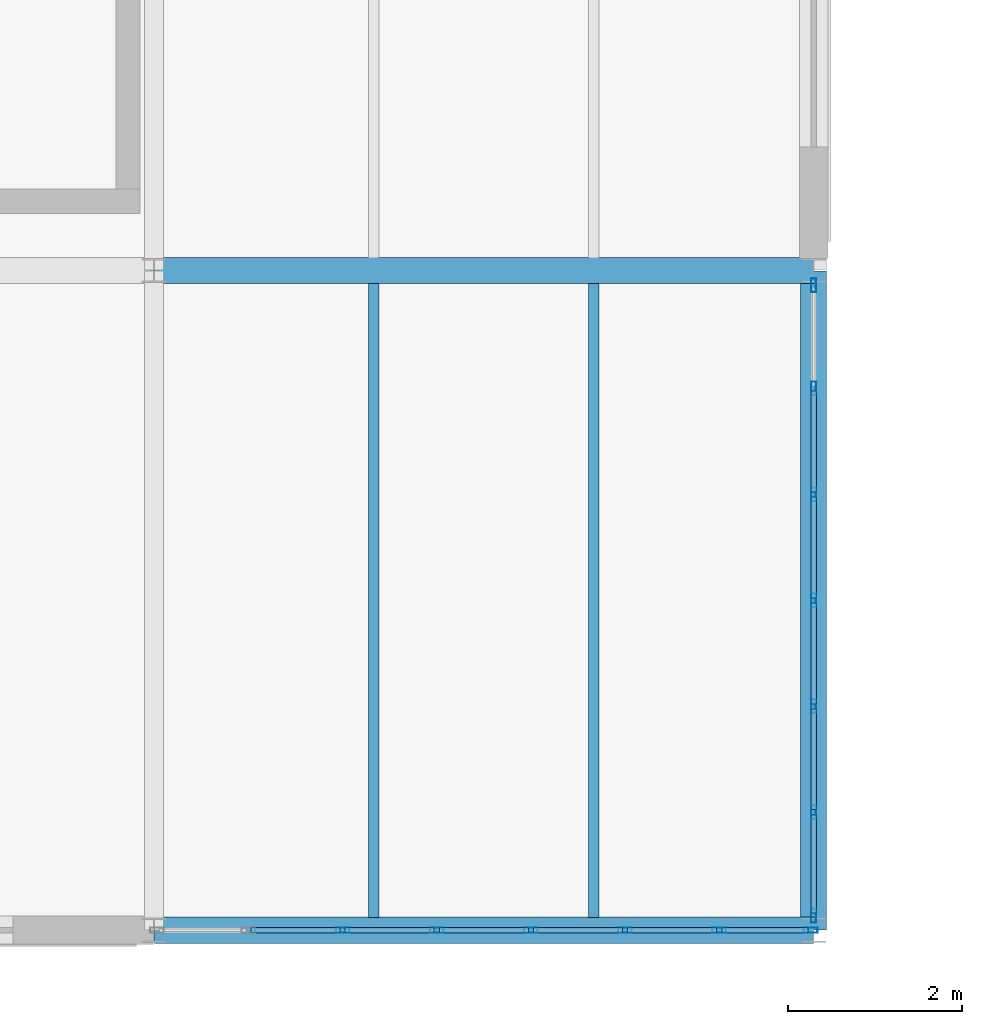
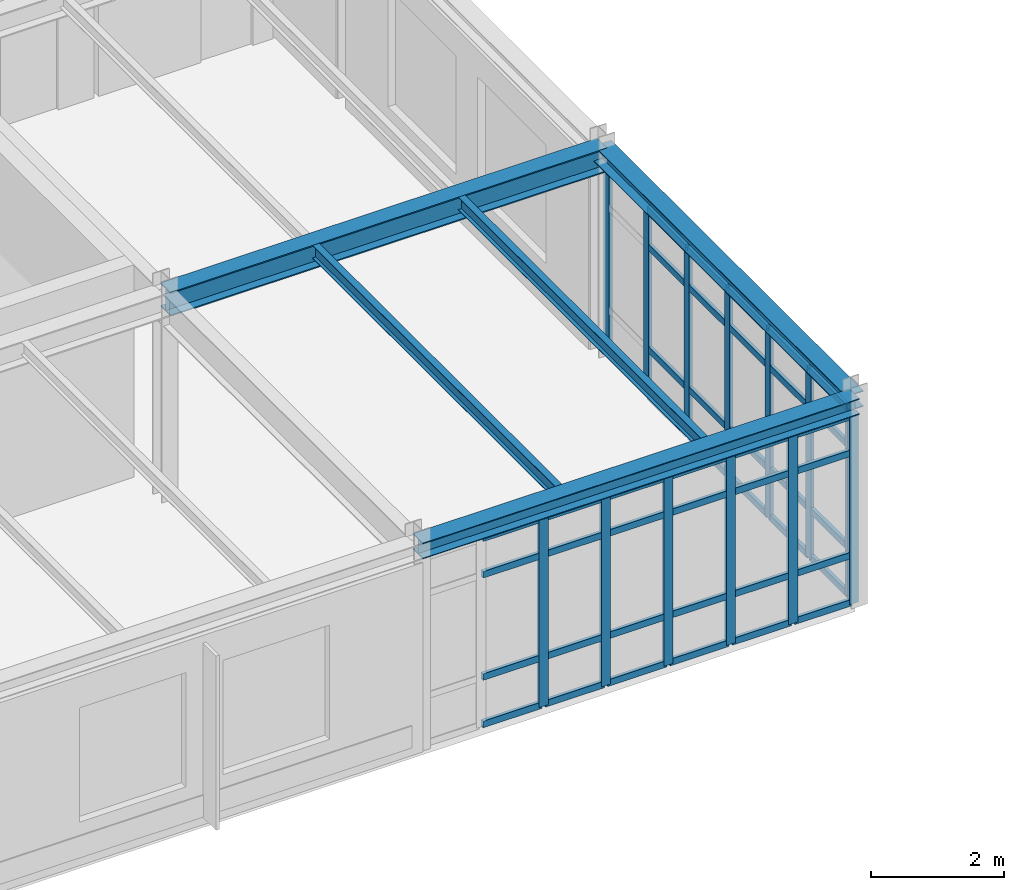
# One storey, part 36 of 165: 57 members, 5 beams, 2 elements without a shape of their own.
"""IFC4 building model written with IfcOpenShell, lengths in metres."""

from ifc_helpers import new_model, si_unit, direction, frame, origin, origin_2d, place, context, subcontext, project, spatial, hollow_rectangle, i_section, extrude, material, layer, layer_set, material_profile, profile_set, type_object, element, aggregate, save


model = new_model("IFC4")

# Units and contexts
model_context = context("Model", 3, precision=1e-05, world=origin(), true_north=direction((0.0, 1.0)))
body_context = subcontext(model_context, "Body", "Model", "MODEL_VIEW")
ifc_project = project(units=[si_unit("LENGTHUNIT", "METRE"), si_unit("AREAUNIT", "SQUARE_METRE"), si_unit("VOLUMEUNIT", "CUBIC_METRE"), si_unit("PLANEANGLEUNIT", "RADIAN"), si_unit("MASSUNIT", "GRAM", prefix="KILO")], contexts=[model_context])

# Site, building, storey
site_placement = place(None, origin())
site = spatial("IfcSite", under=ifc_project, at=site_placement, CompositionType="ELEMENT")
building_placement = place(site_placement, origin())
building = spatial("IfcBuilding", under=site, at=building_placement, Name="Montecoro Central Library", CompositionType="ELEMENT")
storey_placement = place(building_placement, frame((0.0, 0.0, 5.10009765625)))
storey = spatial("IfcBuildingStorey", under=building, at=storey_placement, Name="L01", CompositionType="ELEMENT", Elevation=5.10009765625)

# Beams
ifc_material_1 = material(Name="Steel S355J2", Category="steel")
ifc_material_profile_1 = material_profile(ifc_material_1, i_section(OverallWidth=0.300048828125, OverallDepth=0.43994140625, WebThickness=0.011474609375, FlangeThickness=0.02099609375, at=origin_2d()), Name="HEA 450")
ifc_profile_set_1 = profile_set([ifc_material_profile_1], Name="Steel S355J2")
beam_type_1 = type_object("IfcBeamType", Name="BM-G-HEA450", PredefinedType="USERDEFINED", material=ifc_profile_set_1)
beam_placement = place(storey_placement, frame((35.405029296875, 12.60009765625, 3.60498046875), z_axis=(1.0, 0.0, 0.0), x_axis=(0.0, 1.0, 0.0)))
element("IfcBeam", 1, at=beam_placement, inside=storey, type_object=beam_type_1, Name="V3-L01-BX-56-B", ObjectType="GIRDER", PredefinedType="USERDEFINED", context=body_context, shape_type="SweptSolid", body=[
    extrude(i_section(OverallWidth=0.300048828125, OverallDepth=0.43994140625, WebThickness=0.011474609375, FlangeThickness=0.02099609375, at=origin_2d()), origin(), (0.0, 0.0, 1.0), 7.590087890625),
])
ifc_material_2 = material(Name="Steel S355", Category="steel")
ifc_material_profile_2 = material_profile(ifc_material_2, i_section(OverallWidth=0.1201171875, OverallDepth=0.239990234375, WebThickness=0.006103515625, FlangeThickness=0.009765625, at=origin_2d()), Name="IPE 240")
ifc_profile_set_2 = profile_set([ifc_material_profile_2], Name="Steel S355")
beam_type_2 = type_object("IfcBeamType", Name="BM-J-IPE240", PredefinedType="JOIST", material=ifc_profile_set_2)
for number, where, z_axis, x_axis, name in (
    (2, (37.93310546875, 5.14697265625, 3.704833984375), (0.0, 1.0, 0.0), (-1.0, 0.0, 0.0), "V3-L01-JS-56-AB-1"),
    (3, (40.467041015625, 5.14697265625, 3.704833984375), (0.0, 1.0, 0.0), (-1.0, 0.0, 0.0), "V3-L01-JS-56-AB-2"),
):
    element("IfcBeam", number, at=place(storey_placement, frame(where, z_axis=z_axis, x_axis=x_axis)), inside=storey, type_object=beam_type_2, Name=name, PredefinedType="JOIST", context=body_context, shape_type="SweptSolid", body=[
        extrude(i_section(OverallWidth=0.1201171875, OverallDepth=0.239990234375, WebThickness=0.006103515625, FlangeThickness=0.009765625, at=origin_2d()), origin(), (0.0, 0.0, 1.0), 7.305908203125),
    ])
ifc_material_profile_3 = material_profile(ifc_material_2, i_section(OverallWidth=0.300048828125, OverallDepth=0.2900390625, WebThickness=0.008544921875, FlangeThickness=0.013916015625, at=origin_2d()), Name="HEA 300")
ifc_profile_set_3 = profile_set([ifc_material_profile_3], Name="Steel S355")
beam_type_3 = type_object("IfcBeamType", Name="BM-SP-HEA300", PredefinedType="SPANDREL", material=ifc_profile_set_3)
for number, where, z_axis, x_axis, name in (
    (4, (35.405029296875, 5.0, 3.679931640625), (1.0, 0.0, 0.0), (0.0, 1.0, 0.0), "V3-L01-BX-56-A"),
    (5, (43.0, 5.0048828125, 3.679931640625), (0.0, 1.0, 0.0), (-1.0, 0.0, 0.0), "V3-L01-BY-6-AB"),
):
    element("IfcBeam", number, at=place(storey_placement, frame(where, z_axis=z_axis, x_axis=x_axis)), inside=storey, type_object=beam_type_3, Name=name, PredefinedType="SPANDREL", context=body_context, shape_type="SweptSolid", body=[
        extrude(i_section(OverallWidth=0.300048828125, OverallDepth=0.2900390625, WebThickness=0.008544921875, FlangeThickness=0.013916015625, at=origin_2d()), origin(), (0.0, 0.0, 1.0), 7.590087890625),
    ])

# Curtain wall, members
ifc_material_3 = material(Name="Bronze-anodised aluminium and low-E glazing", Category="aluminium")
ifc_layer_1 = layer(ifc_material_3, 0.159912109375)
ifc_layer_set_1 = layer_set([ifc_layer_1], Name="Bronze-anodised aluminium and low-E glazing")
curtain_wall_type_1 = type_object("IfcCurtainWallType", Name="CWT-029", PredefinedType="NOTDEFINED", material=ifc_layer_set_1)
curtain_wall_1_placement = place(storey_placement, origin())
curtain_wall_1 = element("IfcCurtainWall", 6, at=curtain_wall_1_placement, inside=storey, type_object=curtain_wall_type_1, Name="V3-L01-CW-S4", PredefinedType="NOTDEFINED")
ifc_material_4 = material(Name="Bronze-anodised aluminium", Category="aluminium")
ifc_material_profile_4 = material_profile(ifc_material_4, hollow_rectangle(XDim=0.06005859375, YDim=0.159912109375, WallThickness=0.00390625, at=origin_2d()), Name="CWM 160x60x4.0")
ifc_profile_set_4 = profile_set([ifc_material_profile_4], Name="Bronze-anodised aluminium")
member_type_1 = type_object("IfcMemberType", Name="CWM-BRZ-60", PredefinedType="MULLION", material=ifc_profile_set_4)
member_1_placement = place(storey_placement, frame((37.5732421875, 5.0, 0.0), z_axis=(0.0, 0.0, 1.0), x_axis=(0.0, 1.0, 0.0)))
member_1 = element("IfcMember", 7, at=member_1_placement, type_object=member_type_1, Name="CW-029 mullion 3", PredefinedType="MULLION", context=body_context, shape_type="SweptSolid", body=[
    extrude(hollow_rectangle(XDim=0.06005859375, YDim=0.159912109375, WallThickness=0.00390625, at=origin_2d()), origin(), (0.0, 0.0, 1.0), 3.47998046875),
])
member_2_placement = place(storey_placement, frame((38.65771484375, 5.0, 0.0), z_axis=(0.0, 0.0, 1.0), x_axis=(0.0, 1.0, 0.0)))
member_2 = element("IfcMember", 8, at=member_2_placement, type_object=member_type_1, Name="CW-029 mullion 4", PredefinedType="MULLION", context=body_context, shape_type="SweptSolid", body=[
    extrude(hollow_rectangle(XDim=0.06005859375, YDim=0.159912109375, WallThickness=0.00390625, at=origin_2d()), origin(), (0.0, 0.0, 1.0), 3.47998046875),
])
member_3_placement = place(storey_placement, frame((39.7421875, 5.0, 0.0), z_axis=(0.0, 0.0, 1.0), x_axis=(0.0, 1.0, 0.0)))
member_3 = element("IfcMember", 9, at=member_3_placement, type_object=member_type_1, Name="CW-029 mullion 5", PredefinedType="MULLION", context=body_context, shape_type="SweptSolid", body=[
    extrude(hollow_rectangle(XDim=0.06005859375, YDim=0.159912109375, WallThickness=0.00390625, at=origin_2d()), origin(), (0.0, 0.0, 1.0), 3.47998046875),
])
member_4_placement = place(storey_placement, frame((40.826904296875, 5.0, 0.0), z_axis=(0.0, 0.0, 1.0), x_axis=(0.0, 1.0, 0.0)))
member_4 = element("IfcMember", 10, at=member_4_placement, type_object=member_type_1, Name="CW-029 mullion 6", PredefinedType="MULLION", context=body_context, shape_type="SweptSolid", body=[
    extrude(hollow_rectangle(XDim=0.06005859375, YDim=0.159912109375, WallThickness=0.00390625, at=origin_2d()), origin(), (0.0, 0.0, 1.0), 3.47998046875),
])
member_5_placement = place(storey_placement, frame((41.911376953125, 5.0, 0.0), z_axis=(0.0, 0.0, 1.0), x_axis=(0.0, 1.0, 0.0)))
member_5 = element("IfcMember", 11, at=member_5_placement, type_object=member_type_1, Name="CW-029 mullion 7", PredefinedType="MULLION", context=body_context, shape_type="SweptSolid", body=[
    extrude(hollow_rectangle(XDim=0.06005859375, YDim=0.159912109375, WallThickness=0.00390625, at=origin_2d()), origin(), (0.0, 0.0, 1.0), 3.47998046875),
])
member_6_placement = place(storey_placement, frame((42.966064453125, 5.0, 0.0), z_axis=(0.0, 0.0, 1.0), x_axis=(0.0, 1.0, 0.0)))
member_6 = element("IfcMember", 12, at=member_6_placement, type_object=member_type_1, Name="CW-029 mullion 8", PredefinedType="MULLION", context=body_context, shape_type="SweptSolid", body=[
    extrude(hollow_rectangle(XDim=0.06005859375, YDim=0.159912109375, WallThickness=0.00390625, at=origin_2d()), origin(), (0.0, 0.0, 1.0), 3.47998046875),
])

ifc_layer_2 = layer(ifc_material_3, 0.159912109375)
ifc_layer_set_2 = layer_set([ifc_layer_2], Name="Bronze-anodised aluminium and low-E glazing")
curtain_wall_type_2 = type_object("IfcCurtainWallType", Name="CWT-030", PredefinedType="NOTDEFINED", material=ifc_layer_set_2)
curtain_wall_2_placement = place(storey_placement, origin())
curtain_wall_2 = element("IfcCurtainWall", 13, at=curtain_wall_2_placement, inside=storey, type_object=curtain_wall_type_2, Name="V3-L01-CW-E0", PredefinedType="NOTDEFINED")
member_7_placement = place(storey_placement, frame((43.0, 5.16796875, 0.0), z_axis=(0.0, 0.0, 1.0), x_axis=(-1.0, 0.0, 0.0)))
member_7 = element("IfcMember", 14, at=member_7_placement, type_object=member_type_1, Name="CW-030 mullion 1", PredefinedType="MULLION", context=body_context, shape_type="SweptSolid", body=[
    extrude(hollow_rectangle(XDim=0.06005859375, YDim=0.159912109375, WallThickness=0.00390625, at=origin_2d()), origin(), (0.0, 0.0, 1.0), 3.47998046875),
])
member_8_placement = place(storey_placement, frame((43.0, 6.358642578125, 0.0), z_axis=(0.0, 0.0, 1.0), x_axis=(-1.0, 0.0, 0.0)))
member_8 = element("IfcMember", 15, at=member_8_placement, type_object=member_type_1, Name="CW-030 mullion 2", PredefinedType="MULLION", context=body_context, shape_type="SweptSolid", body=[
    extrude(hollow_rectangle(XDim=0.06005859375, YDim=0.159912109375, WallThickness=0.00390625, at=origin_2d()), origin(), (0.0, 0.0, 1.0), 3.47998046875),
])
member_9_placement = place(storey_placement, frame((43.0, 7.579345703125, 0.0), z_axis=(0.0, 0.0, 1.0), x_axis=(-1.0, 0.0, 0.0)))
member_9 = element("IfcMember", 16, at=member_9_placement, type_object=member_type_1, Name="CW-030 mullion 3", PredefinedType="MULLION", context=body_context, shape_type="SweptSolid", body=[
    extrude(hollow_rectangle(XDim=0.06005859375, YDim=0.159912109375, WallThickness=0.00390625, at=origin_2d()), origin(), (0.0, 0.0, 1.0), 3.47998046875),
])
member_10_placement = place(storey_placement, frame((43.0, 8.800048828125, 0.0), z_axis=(0.0, 0.0, 1.0), x_axis=(-1.0, 0.0, 0.0)))
member_10 = element("IfcMember", 17, at=member_10_placement, type_object=member_type_1, Name="CW-030 mullion 4", PredefinedType="MULLION", context=body_context, shape_type="SweptSolid", body=[
    extrude(hollow_rectangle(XDim=0.06005859375, YDim=0.159912109375, WallThickness=0.00390625, at=origin_2d()), origin(), (0.0, 0.0, 1.0), 3.47998046875),
])
member_11_placement = place(storey_placement, frame((43.0, 10.020751953125, 0.0), z_axis=(0.0, 0.0, 1.0), x_axis=(-1.0, 0.0, 0.0)))
member_11 = element("IfcMember", 18, at=member_11_placement, type_object=member_type_1, Name="CW-030 mullion 5", PredefinedType="MULLION", context=body_context, shape_type="SweptSolid", body=[
    extrude(hollow_rectangle(XDim=0.06005859375, YDim=0.159912109375, WallThickness=0.00390625, at=origin_2d()), origin(), (0.0, 0.0, 1.0), 3.47998046875),
])
member_12_placement = place(storey_placement, frame((43.0, 11.241455078125, 0.0), z_axis=(0.0, 0.0, 1.0), x_axis=(-1.0, 0.0, 0.0)))
member_12 = element("IfcMember", 19, at=member_12_placement, type_object=member_type_1, Name="CW-030 mullion 6", PredefinedType="MULLION", context=body_context, shape_type="SweptSolid", body=[
    extrude(hollow_rectangle(XDim=0.06005859375, YDim=0.159912109375, WallThickness=0.00390625, at=origin_2d()), origin(), (0.0, 0.0, 1.0), 3.47998046875),
])
member_13_placement = place(storey_placement, frame((43.0, 12.431884765625, 0.0), z_axis=(0.0, 0.0, 1.0), x_axis=(-1.0, 0.0, 0.0)))
member_13 = element("IfcMember", 20, at=member_13_placement, type_object=member_type_1, Name="CW-030 mullion 7", PredefinedType="MULLION", context=body_context, shape_type="SweptSolid", body=[
    extrude(hollow_rectangle(XDim=0.06005859375, YDim=0.159912109375, WallThickness=0.00390625, at=origin_2d()), origin(), (0.0, 0.0, 1.0), 3.47998046875),
])

# Member
ifc_material_profile_5 = material_profile(ifc_material_4, hollow_rectangle(XDim=0.06005859375, YDim=0.1201171875, WallThickness=0.00390625, at=origin_2d()), Name="CWT 120x60x4.0")
ifc_profile_set_5 = profile_set([ifc_material_profile_5], Name="Bronze-anodised aluminium")
member_type_2 = type_object("IfcMemberType", Name="CWT-BRZ-60", PredefinedType="USERDEFINED", material=ifc_profile_set_5)
member_14_placement = place(storey_placement, frame((36.5185546875, 5.0, 0.02978515625), z_axis=(1.0, 0.0, 0.0), x_axis=(0.0, 1.0, 0.0)))
member_14 = element("IfcMember", 21, at=member_14_placement, type_object=member_type_2, Name="CW-029 transom 2.1", ObjectType="TRANSOM", PredefinedType="USERDEFINED", context=body_context, shape_type="SweptSolid", body=[
    extrude(hollow_rectangle(XDim=0.06005859375, YDim=0.1201171875, WallThickness=0.00390625, at=origin_2d()), origin(), (0.0, 0.0, 1.0), 1.024658203125),
])

member_15_placement = place(storey_placement, frame((36.5185546875, 5.0, 0.89990234375), z_axis=(1.0, 0.0, 0.0), x_axis=(0.0, 1.0, 0.0)))
member_15 = element("IfcMember", 22, at=member_15_placement, type_object=member_type_2, Name="CW-029 transom 2.2", ObjectType="TRANSOM", PredefinedType="USERDEFINED", context=body_context, shape_type="SweptSolid", body=[
    extrude(hollow_rectangle(XDim=0.06005859375, YDim=0.1201171875, WallThickness=0.00390625, at=origin_2d()), origin(), (0.0, 0.0, 1.0), 1.024658203125),
])

member_16_placement = place(storey_placement, frame((36.5185546875, 5.0, 2.77978515625), z_axis=(1.0, 0.0, 0.0), x_axis=(0.0, 1.0, 0.0)))
member_16 = element("IfcMember", 23, at=member_16_placement, type_object=member_type_2, Name="CW-029 transom 2.3", ObjectType="TRANSOM", PredefinedType="USERDEFINED", context=body_context, shape_type="SweptSolid", body=[
    extrude(hollow_rectangle(XDim=0.06005859375, YDim=0.1201171875, WallThickness=0.00390625, at=origin_2d()), origin(), (0.0, 0.0, 1.0), 1.024658203125),
])

member_17_placement = place(storey_placement, frame((36.5185546875, 5.0, 3.449951171875), z_axis=(1.0, 0.0, 0.0), x_axis=(0.0, 1.0, 0.0)))
member_17 = element("IfcMember", 24, at=member_17_placement, type_object=member_type_2, Name="CW-029 transom 2.4", ObjectType="TRANSOM", PredefinedType="USERDEFINED", context=body_context, shape_type="SweptSolid", body=[
    extrude(hollow_rectangle(XDim=0.06005859375, YDim=0.1201171875, WallThickness=0.00390625, at=origin_2d()), origin(), (0.0, 0.0, 1.0), 1.024658203125),
])

member_18_placement = place(storey_placement, frame((37.60302734375, 5.0, 0.02978515625), z_axis=(1.0, 0.0, 0.0), x_axis=(0.0, 1.0, 0.0)))
member_18 = element("IfcMember", 25, at=member_18_placement, type_object=member_type_2, Name="CW-029 transom 3.1", ObjectType="TRANSOM", PredefinedType="USERDEFINED", context=body_context, shape_type="SweptSolid", body=[
    extrude(hollow_rectangle(XDim=0.06005859375, YDim=0.1201171875, WallThickness=0.00390625, at=origin_2d()), origin(), (0.0, 0.0, 1.0), 1.024658203125),
])

member_19_placement = place(storey_placement, frame((37.60302734375, 5.0, 0.89990234375), z_axis=(1.0, 0.0, 0.0), x_axis=(0.0, 1.0, 0.0)))
member_19 = element("IfcMember", 26, at=member_19_placement, type_object=member_type_2, Name="CW-029 transom 3.2", ObjectType="TRANSOM", PredefinedType="USERDEFINED", context=body_context, shape_type="SweptSolid", body=[
    extrude(hollow_rectangle(XDim=0.06005859375, YDim=0.1201171875, WallThickness=0.00390625, at=origin_2d()), origin(), (0.0, 0.0, 1.0), 1.024658203125),
])

member_20_placement = place(storey_placement, frame((37.60302734375, 5.0, 2.77978515625), z_axis=(1.0, 0.0, 0.0), x_axis=(0.0, 1.0, 0.0)))
member_20 = element("IfcMember", 27, at=member_20_placement, type_object=member_type_2, Name="CW-029 transom 3.3", ObjectType="TRANSOM", PredefinedType="USERDEFINED", context=body_context, shape_type="SweptSolid", body=[
    extrude(hollow_rectangle(XDim=0.06005859375, YDim=0.1201171875, WallThickness=0.00390625, at=origin_2d()), origin(), (0.0, 0.0, 1.0), 1.024658203125),
])

member_21_placement = place(storey_placement, frame((37.60302734375, 5.0, 3.449951171875), z_axis=(1.0, 0.0, 0.0), x_axis=(0.0, 1.0, 0.0)))
member_21 = element("IfcMember", 28, at=member_21_placement, type_object=member_type_2, Name="CW-029 transom 3.4", ObjectType="TRANSOM", PredefinedType="USERDEFINED", context=body_context, shape_type="SweptSolid", body=[
    extrude(hollow_rectangle(XDim=0.06005859375, YDim=0.1201171875, WallThickness=0.00390625, at=origin_2d()), origin(), (0.0, 0.0, 1.0), 1.024658203125),
])

member_22_placement = place(storey_placement, frame((38.687744140625, 5.0, 0.02978515625), z_axis=(1.0, 0.0, 0.0), x_axis=(0.0, 1.0, 0.0)))
member_22 = element("IfcMember", 29, at=member_22_placement, type_object=member_type_2, Name="CW-029 transom 4.1", ObjectType="TRANSOM", PredefinedType="USERDEFINED", context=body_context, shape_type="SweptSolid", body=[
    extrude(hollow_rectangle(XDim=0.06005859375, YDim=0.1201171875, WallThickness=0.00390625, at=origin_2d()), origin(), (0.0, 0.0, 1.0), 1.024658203125),
])

member_23_placement = place(storey_placement, frame((38.687744140625, 5.0, 0.89990234375), z_axis=(1.0, 0.0, 0.0), x_axis=(0.0, 1.0, 0.0)))
member_23 = element("IfcMember", 30, at=member_23_placement, type_object=member_type_2, Name="CW-029 transom 4.2", ObjectType="TRANSOM", PredefinedType="USERDEFINED", context=body_context, shape_type="SweptSolid", body=[
    extrude(hollow_rectangle(XDim=0.06005859375, YDim=0.1201171875, WallThickness=0.00390625, at=origin_2d()), origin(), (0.0, 0.0, 1.0), 1.024658203125),
])

member_24_placement = place(storey_placement, frame((38.687744140625, 5.0, 2.77978515625), z_axis=(1.0, 0.0, 0.0), x_axis=(0.0, 1.0, 0.0)))
member_24 = element("IfcMember", 31, at=member_24_placement, type_object=member_type_2, Name="CW-029 transom 4.3", ObjectType="TRANSOM", PredefinedType="USERDEFINED", context=body_context, shape_type="SweptSolid", body=[
    extrude(hollow_rectangle(XDim=0.06005859375, YDim=0.1201171875, WallThickness=0.00390625, at=origin_2d()), origin(), (0.0, 0.0, 1.0), 1.024658203125),
])

member_25_placement = place(storey_placement, frame((38.687744140625, 5.0, 3.449951171875), z_axis=(1.0, 0.0, 0.0), x_axis=(0.0, 1.0, 0.0)))
member_25 = element("IfcMember", 32, at=member_25_placement, type_object=member_type_2, Name="CW-029 transom 4.4", ObjectType="TRANSOM", PredefinedType="USERDEFINED", context=body_context, shape_type="SweptSolid", body=[
    extrude(hollow_rectangle(XDim=0.06005859375, YDim=0.1201171875, WallThickness=0.00390625, at=origin_2d()), origin(), (0.0, 0.0, 1.0), 1.024658203125),
])

member_26_placement = place(storey_placement, frame((39.772216796875, 5.0, 0.02978515625), z_axis=(1.0, 0.0, 0.0), x_axis=(0.0, 1.0, 0.0)))
member_26 = element("IfcMember", 33, at=member_26_placement, type_object=member_type_2, Name="CW-029 transom 5.1", ObjectType="TRANSOM", PredefinedType="USERDEFINED", context=body_context, shape_type="SweptSolid", body=[
    extrude(hollow_rectangle(XDim=0.06005859375, YDim=0.1201171875, WallThickness=0.00390625, at=origin_2d()), origin(), (0.0, 0.0, 1.0), 1.024658203125),
])

member_27_placement = place(storey_placement, frame((39.772216796875, 5.0, 0.89990234375), z_axis=(1.0, 0.0, 0.0), x_axis=(0.0, 1.0, 0.0)))
member_27 = element("IfcMember", 34, at=member_27_placement, type_object=member_type_2, Name="CW-029 transom 5.2", ObjectType="TRANSOM", PredefinedType="USERDEFINED", context=body_context, shape_type="SweptSolid", body=[
    extrude(hollow_rectangle(XDim=0.06005859375, YDim=0.1201171875, WallThickness=0.00390625, at=origin_2d()), origin(), (0.0, 0.0, 1.0), 1.024658203125),
])

member_28_placement = place(storey_placement, frame((39.772216796875, 5.0, 2.77978515625), z_axis=(1.0, 0.0, 0.0), x_axis=(0.0, 1.0, 0.0)))
member_28 = element("IfcMember", 35, at=member_28_placement, type_object=member_type_2, Name="CW-029 transom 5.3", ObjectType="TRANSOM", PredefinedType="USERDEFINED", context=body_context, shape_type="SweptSolid", body=[
    extrude(hollow_rectangle(XDim=0.06005859375, YDim=0.1201171875, WallThickness=0.00390625, at=origin_2d()), origin(), (0.0, 0.0, 1.0), 1.024658203125),
])

member_29_placement = place(storey_placement, frame((39.772216796875, 5.0, 3.449951171875), z_axis=(1.0, 0.0, 0.0), x_axis=(0.0, 1.0, 0.0)))
member_29 = element("IfcMember", 36, at=member_29_placement, type_object=member_type_2, Name="CW-029 transom 5.4", ObjectType="TRANSOM", PredefinedType="USERDEFINED", context=body_context, shape_type="SweptSolid", body=[
    extrude(hollow_rectangle(XDim=0.06005859375, YDim=0.1201171875, WallThickness=0.00390625, at=origin_2d()), origin(), (0.0, 0.0, 1.0), 1.024658203125),
])

member_30_placement = place(storey_placement, frame((40.85693359375, 5.0, 0.02978515625), z_axis=(1.0, 0.0, 0.0), x_axis=(0.0, 1.0, 0.0)))
member_30 = element("IfcMember", 37, at=member_30_placement, type_object=member_type_2, Name="CW-029 transom 6.1", ObjectType="TRANSOM", PredefinedType="USERDEFINED", context=body_context, shape_type="SweptSolid", body=[
    extrude(hollow_rectangle(XDim=0.06005859375, YDim=0.1201171875, WallThickness=0.00390625, at=origin_2d()), origin(), (0.0, 0.0, 1.0), 1.0244140625),
])

member_31_placement = place(storey_placement, frame((40.85693359375, 5.0, 0.89990234375), z_axis=(1.0, 0.0, 0.0), x_axis=(0.0, 1.0, 0.0)))
member_31 = element("IfcMember", 38, at=member_31_placement, type_object=member_type_2, Name="CW-029 transom 6.2", ObjectType="TRANSOM", PredefinedType="USERDEFINED", context=body_context, shape_type="SweptSolid", body=[
    extrude(hollow_rectangle(XDim=0.06005859375, YDim=0.1201171875, WallThickness=0.00390625, at=origin_2d()), origin(), (0.0, 0.0, 1.0), 1.0244140625),
])

member_32_placement = place(storey_placement, frame((40.85693359375, 5.0, 2.77978515625), z_axis=(1.0, 0.0, 0.0), x_axis=(0.0, 1.0, 0.0)))
member_32 = element("IfcMember", 39, at=member_32_placement, type_object=member_type_2, Name="CW-029 transom 6.3", ObjectType="TRANSOM", PredefinedType="USERDEFINED", context=body_context, shape_type="SweptSolid", body=[
    extrude(hollow_rectangle(XDim=0.06005859375, YDim=0.1201171875, WallThickness=0.00390625, at=origin_2d()), origin(), (0.0, 0.0, 1.0), 1.0244140625),
])

member_33_placement = place(storey_placement, frame((40.85693359375, 5.0, 3.449951171875), z_axis=(1.0, 0.0, 0.0), x_axis=(0.0, 1.0, 0.0)))
member_33 = element("IfcMember", 40, at=member_33_placement, type_object=member_type_2, Name="CW-029 transom 6.4", ObjectType="TRANSOM", PredefinedType="USERDEFINED", context=body_context, shape_type="SweptSolid", body=[
    extrude(hollow_rectangle(XDim=0.06005859375, YDim=0.1201171875, WallThickness=0.00390625, at=origin_2d()), origin(), (0.0, 0.0, 1.0), 1.0244140625),
])

member_34_placement = place(storey_placement, frame((41.94140625, 5.0, 0.02978515625), z_axis=(1.0, 0.0, 0.0), x_axis=(0.0, 1.0, 0.0)))
member_34 = element("IfcMember", 41, at=member_34_placement, type_object=member_type_2, Name="CW-029 transom 7.1", ObjectType="TRANSOM", PredefinedType="USERDEFINED", context=body_context, shape_type="SweptSolid", body=[
    extrude(hollow_rectangle(XDim=0.06005859375, YDim=0.1201171875, WallThickness=0.00390625, at=origin_2d()), origin(), (0.0, 0.0, 1.0), 0.99462890625),
])

member_35_placement = place(storey_placement, frame((41.94140625, 5.0, 0.89990234375), z_axis=(1.0, 0.0, 0.0), x_axis=(0.0, 1.0, 0.0)))
member_35 = element("IfcMember", 42, at=member_35_placement, type_object=member_type_2, Name="CW-029 transom 7.2", ObjectType="TRANSOM", PredefinedType="USERDEFINED", context=body_context, shape_type="SweptSolid", body=[
    extrude(hollow_rectangle(XDim=0.06005859375, YDim=0.1201171875, WallThickness=0.00390625, at=origin_2d()), origin(), (0.0, 0.0, 1.0), 0.99462890625),
])

member_36_placement = place(storey_placement, frame((41.94140625, 5.0, 2.77978515625), z_axis=(1.0, 0.0, 0.0), x_axis=(0.0, 1.0, 0.0)))
member_36 = element("IfcMember", 43, at=member_36_placement, type_object=member_type_2, Name="CW-029 transom 7.3", ObjectType="TRANSOM", PredefinedType="USERDEFINED", context=body_context, shape_type="SweptSolid", body=[
    extrude(hollow_rectangle(XDim=0.06005859375, YDim=0.1201171875, WallThickness=0.00390625, at=origin_2d()), origin(), (0.0, 0.0, 1.0), 0.99462890625),
])

member_37_placement = place(storey_placement, frame((41.94140625, 5.0, 3.449951171875), z_axis=(1.0, 0.0, 0.0), x_axis=(0.0, 1.0, 0.0)))
member_37 = element("IfcMember", 44, at=member_37_placement, type_object=member_type_2, Name="CW-029 transom 7.4", ObjectType="TRANSOM", PredefinedType="USERDEFINED", context=body_context, shape_type="SweptSolid", body=[
    extrude(hollow_rectangle(XDim=0.06005859375, YDim=0.1201171875, WallThickness=0.00390625, at=origin_2d()), origin(), (0.0, 0.0, 1.0), 0.99462890625),
])

aggregate(curtain_wall_1, [member_1, member_2, member_3, member_4, member_5, member_6, member_14, member_15, member_16, member_17, member_18, member_19, member_20, member_21, member_22, member_23, member_24, member_25, member_26, member_27, member_28, member_29, member_30, member_31, member_32, member_33, member_34, member_35, member_36, member_37])

member_38_placement = place(storey_placement, frame((43.0, 5.197998046875, 0.02978515625), z_axis=(0.0, 1.0, 0.0), x_axis=(-1.0, 0.0, 0.0)))
member_38 = element("IfcMember", 45, at=member_38_placement, type_object=member_type_2, Name="CW-030 transom 1.1", ObjectType="TRANSOM", PredefinedType="USERDEFINED", context=body_context, shape_type="SweptSolid", body=[
    extrude(hollow_rectangle(XDim=0.06005859375, YDim=0.1201171875, WallThickness=0.00390625, at=origin_2d()), origin(), (0.0, 0.0, 1.0), 1.130615234375),
])

member_39_placement = place(storey_placement, frame((43.0, 5.197998046875, 0.89990234375), z_axis=(0.0, 1.0, 0.0), x_axis=(-1.0, 0.0, 0.0)))
member_39 = element("IfcMember", 46, at=member_39_placement, type_object=member_type_2, Name="CW-030 transom 1.2", ObjectType="TRANSOM", PredefinedType="USERDEFINED", context=body_context, shape_type="SweptSolid", body=[
    extrude(hollow_rectangle(XDim=0.06005859375, YDim=0.1201171875, WallThickness=0.00390625, at=origin_2d()), origin(), (0.0, 0.0, 1.0), 1.130615234375),
])

member_40_placement = place(storey_placement, frame((43.0, 5.197998046875, 2.77978515625), z_axis=(0.0, 1.0, 0.0), x_axis=(-1.0, 0.0, 0.0)))
member_40 = element("IfcMember", 47, at=member_40_placement, type_object=member_type_2, Name="CW-030 transom 1.3", ObjectType="TRANSOM", PredefinedType="USERDEFINED", context=body_context, shape_type="SweptSolid", body=[
    extrude(hollow_rectangle(XDim=0.06005859375, YDim=0.1201171875, WallThickness=0.00390625, at=origin_2d()), origin(), (0.0, 0.0, 1.0), 1.130615234375),
])

member_41_placement = place(storey_placement, frame((43.0, 5.197998046875, 3.449951171875), z_axis=(0.0, 1.0, 0.0), x_axis=(-1.0, 0.0, 0.0)))
member_41 = element("IfcMember", 48, at=member_41_placement, type_object=member_type_2, Name="CW-030 transom 1.4", ObjectType="TRANSOM", PredefinedType="USERDEFINED", context=body_context, shape_type="SweptSolid", body=[
    extrude(hollow_rectangle(XDim=0.06005859375, YDim=0.1201171875, WallThickness=0.00390625, at=origin_2d()), origin(), (0.0, 0.0, 1.0), 1.130615234375),
])

member_42_placement = place(storey_placement, frame((43.0, 6.388671875, 0.02978515625), z_axis=(0.0, 1.0, 0.0), x_axis=(-1.0, 0.0, 0.0)))
member_42 = element("IfcMember", 49, at=member_42_placement, type_object=member_type_2, Name="CW-030 transom 2.1", ObjectType="TRANSOM", PredefinedType="USERDEFINED", context=body_context, shape_type="SweptSolid", body=[
    extrude(hollow_rectangle(XDim=0.06005859375, YDim=0.1201171875, WallThickness=0.00390625, at=origin_2d()), origin(), (0.0, 0.0, 1.0), 1.16064453125),
])

member_43_placement = place(storey_placement, frame((43.0, 6.388671875, 0.89990234375), z_axis=(0.0, 1.0, 0.0), x_axis=(-1.0, 0.0, 0.0)))
member_43 = element("IfcMember", 50, at=member_43_placement, type_object=member_type_2, Name="CW-030 transom 2.2", ObjectType="TRANSOM", PredefinedType="USERDEFINED", context=body_context, shape_type="SweptSolid", body=[
    extrude(hollow_rectangle(XDim=0.06005859375, YDim=0.1201171875, WallThickness=0.00390625, at=origin_2d()), origin(), (0.0, 0.0, 1.0), 1.16064453125),
])

member_44_placement = place(storey_placement, frame((43.0, 6.388671875, 2.77978515625), z_axis=(0.0, 1.0, 0.0), x_axis=(-1.0, 0.0, 0.0)))
member_44 = element("IfcMember", 51, at=member_44_placement, type_object=member_type_2, Name="CW-030 transom 2.3", ObjectType="TRANSOM", PredefinedType="USERDEFINED", context=body_context, shape_type="SweptSolid", body=[
    extrude(hollow_rectangle(XDim=0.06005859375, YDim=0.1201171875, WallThickness=0.00390625, at=origin_2d()), origin(), (0.0, 0.0, 1.0), 1.16064453125),
])

member_45_placement = place(storey_placement, frame((43.0, 6.388671875, 3.449951171875), z_axis=(0.0, 1.0, 0.0), x_axis=(-1.0, 0.0, 0.0)))
member_45 = element("IfcMember", 52, at=member_45_placement, type_object=member_type_2, Name="CW-030 transom 2.4", ObjectType="TRANSOM", PredefinedType="USERDEFINED", context=body_context, shape_type="SweptSolid", body=[
    extrude(hollow_rectangle(XDim=0.06005859375, YDim=0.1201171875, WallThickness=0.00390625, at=origin_2d()), origin(), (0.0, 0.0, 1.0), 1.16064453125),
])

member_46_placement = place(storey_placement, frame((43.0, 7.609375, 0.02978515625), z_axis=(0.0, 1.0, 0.0), x_axis=(-1.0, 0.0, 0.0)))
member_46 = element("IfcMember", 53, at=member_46_placement, type_object=member_type_2, Name="CW-030 transom 3.1", ObjectType="TRANSOM", PredefinedType="USERDEFINED", context=body_context, shape_type="SweptSolid", body=[
    extrude(hollow_rectangle(XDim=0.06005859375, YDim=0.1201171875, WallThickness=0.00390625, at=origin_2d()), origin(), (0.0, 0.0, 1.0), 1.16064453125),
])

member_47_placement = place(storey_placement, frame((43.0, 7.609375, 0.89990234375), z_axis=(0.0, 1.0, 0.0), x_axis=(-1.0, 0.0, 0.0)))
member_47 = element("IfcMember", 54, at=member_47_placement, type_object=member_type_2, Name="CW-030 transom 3.2", ObjectType="TRANSOM", PredefinedType="USERDEFINED", context=body_context, shape_type="SweptSolid", body=[
    extrude(hollow_rectangle(XDim=0.06005859375, YDim=0.1201171875, WallThickness=0.00390625, at=origin_2d()), origin(), (0.0, 0.0, 1.0), 1.16064453125),
])

member_48_placement = place(storey_placement, frame((43.0, 7.609375, 2.77978515625), z_axis=(0.0, 1.0, 0.0), x_axis=(-1.0, 0.0, 0.0)))
member_48 = element("IfcMember", 55, at=member_48_placement, type_object=member_type_2, Name="CW-030 transom 3.3", ObjectType="TRANSOM", PredefinedType="USERDEFINED", context=body_context, shape_type="SweptSolid", body=[
    extrude(hollow_rectangle(XDim=0.06005859375, YDim=0.1201171875, WallThickness=0.00390625, at=origin_2d()), origin(), (0.0, 0.0, 1.0), 1.16064453125),
])

member_49_placement = place(storey_placement, frame((43.0, 7.609375, 3.449951171875), z_axis=(0.0, 1.0, 0.0), x_axis=(-1.0, 0.0, 0.0)))
member_49 = element("IfcMember", 56, at=member_49_placement, type_object=member_type_2, Name="CW-030 transom 3.4", ObjectType="TRANSOM", PredefinedType="USERDEFINED", context=body_context, shape_type="SweptSolid", body=[
    extrude(hollow_rectangle(XDim=0.06005859375, YDim=0.1201171875, WallThickness=0.00390625, at=origin_2d()), origin(), (0.0, 0.0, 1.0), 1.16064453125),
])

member_50_placement = place(storey_placement, frame((43.0, 8.830078125, 0.02978515625), z_axis=(0.0, 1.0, 0.0), x_axis=(-1.0, 0.0, 0.0)))
member_50 = element("IfcMember", 57, at=member_50_placement, type_object=member_type_2, Name="CW-030 transom 4.1", ObjectType="TRANSOM", PredefinedType="USERDEFINED", context=body_context, shape_type="SweptSolid", body=[
    extrude(hollow_rectangle(XDim=0.06005859375, YDim=0.1201171875, WallThickness=0.00390625, at=origin_2d()), origin(), (0.0, 0.0, 1.0), 1.16064453125),
])

member_51_placement = place(storey_placement, frame((43.0, 8.830078125, 0.89990234375), z_axis=(0.0, 1.0, 0.0), x_axis=(-1.0, 0.0, 0.0)))
member_51 = element("IfcMember", 58, at=member_51_placement, type_object=member_type_2, Name="CW-030 transom 4.2", ObjectType="TRANSOM", PredefinedType="USERDEFINED", context=body_context, shape_type="SweptSolid", body=[
    extrude(hollow_rectangle(XDim=0.06005859375, YDim=0.1201171875, WallThickness=0.00390625, at=origin_2d()), origin(), (0.0, 0.0, 1.0), 1.16064453125),
])

member_52_placement = place(storey_placement, frame((43.0, 8.830078125, 2.77978515625), z_axis=(0.0, 1.0, 0.0), x_axis=(-1.0, 0.0, 0.0)))
member_52 = element("IfcMember", 59, at=member_52_placement, type_object=member_type_2, Name="CW-030 transom 4.3", ObjectType="TRANSOM", PredefinedType="USERDEFINED", context=body_context, shape_type="SweptSolid", body=[
    extrude(hollow_rectangle(XDim=0.06005859375, YDim=0.1201171875, WallThickness=0.00390625, at=origin_2d()), origin(), (0.0, 0.0, 1.0), 1.16064453125),
])

member_53_placement = place(storey_placement, frame((43.0, 8.830078125, 3.449951171875), z_axis=(0.0, 1.0, 0.0), x_axis=(-1.0, 0.0, 0.0)))
member_53 = element("IfcMember", 60, at=member_53_placement, type_object=member_type_2, Name="CW-030 transom 4.4", ObjectType="TRANSOM", PredefinedType="USERDEFINED", context=body_context, shape_type="SweptSolid", body=[
    extrude(hollow_rectangle(XDim=0.06005859375, YDim=0.1201171875, WallThickness=0.00390625, at=origin_2d()), origin(), (0.0, 0.0, 1.0), 1.16064453125),
])

member_54_placement = place(storey_placement, frame((43.0, 10.05078125, 0.02978515625), z_axis=(0.0, 1.0, 0.0), x_axis=(-1.0, 0.0, 0.0)))
member_54 = element("IfcMember", 61, at=member_54_placement, type_object=member_type_2, Name="CW-030 transom 5.1", ObjectType="TRANSOM", PredefinedType="USERDEFINED", context=body_context, shape_type="SweptSolid", body=[
    extrude(hollow_rectangle(XDim=0.06005859375, YDim=0.1201171875, WallThickness=0.00390625, at=origin_2d()), origin(), (0.0, 0.0, 1.0), 1.16064453125),
])

member_55_placement = place(storey_placement, frame((43.0, 10.05078125, 0.89990234375), z_axis=(0.0, 1.0, 0.0), x_axis=(-1.0, 0.0, 0.0)))
member_55 = element("IfcMember", 62, at=member_55_placement, type_object=member_type_2, Name="CW-030 transom 5.2", ObjectType="TRANSOM", PredefinedType="USERDEFINED", context=body_context, shape_type="SweptSolid", body=[
    extrude(hollow_rectangle(XDim=0.06005859375, YDim=0.1201171875, WallThickness=0.00390625, at=origin_2d()), origin(), (0.0, 0.0, 1.0), 1.16064453125),
])

member_56_placement = place(storey_placement, frame((43.0, 10.05078125, 2.77978515625), z_axis=(0.0, 1.0, 0.0), x_axis=(-1.0, 0.0, 0.0)))
member_56 = element("IfcMember", 63, at=member_56_placement, type_object=member_type_2, Name="CW-030 transom 5.3", ObjectType="TRANSOM", PredefinedType="USERDEFINED", context=body_context, shape_type="SweptSolid", body=[
    extrude(hollow_rectangle(XDim=0.06005859375, YDim=0.1201171875, WallThickness=0.00390625, at=origin_2d()), origin(), (0.0, 0.0, 1.0), 1.16064453125),
])

member_57_placement = place(storey_placement, frame((43.0, 10.05078125, 3.449951171875), z_axis=(0.0, 1.0, 0.0), x_axis=(-1.0, 0.0, 0.0)))
member_57 = element("IfcMember", 64, at=member_57_placement, type_object=member_type_2, Name="CW-030 transom 5.4", ObjectType="TRANSOM", PredefinedType="USERDEFINED", context=body_context, shape_type="SweptSolid", body=[
    extrude(hollow_rectangle(XDim=0.06005859375, YDim=0.1201171875, WallThickness=0.00390625, at=origin_2d()), origin(), (0.0, 0.0, 1.0), 1.16064453125),
])

aggregate(curtain_wall_2, [member_7, member_8, member_9, member_10, member_11, member_12, member_13, member_38, member_39, member_40, member_41, member_42, member_43, member_44, member_45, member_46, member_47, member_48, member_49, member_50, member_51, member_52, member_53, member_54, member_55, member_56, member_57])

save(model, "model.ifc")
